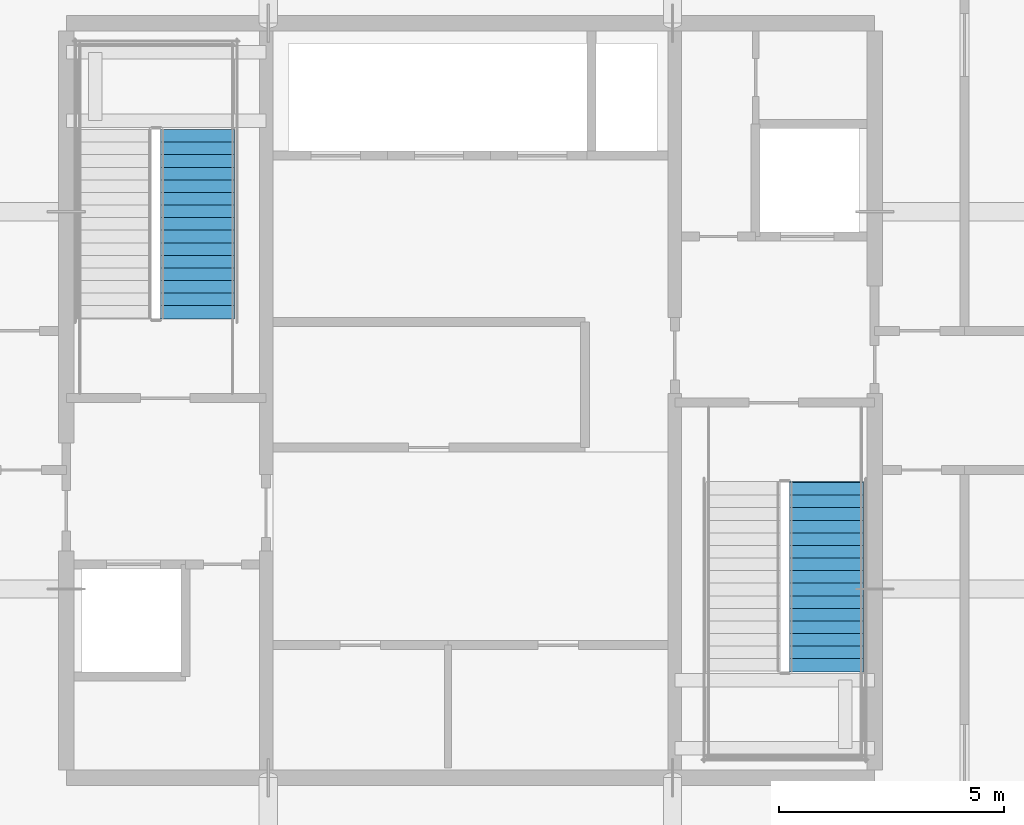
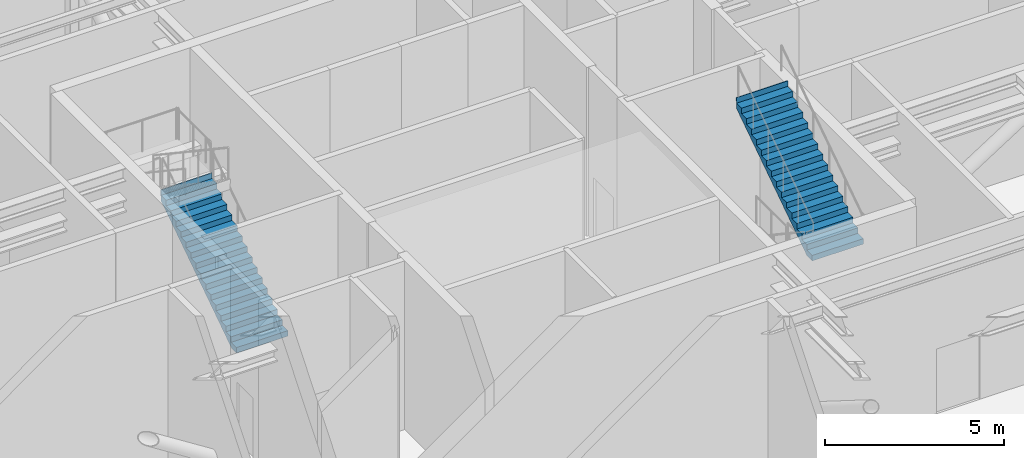
# One storey, part 19 of 22: 2 stair flights, 2 elements without a shape of their own.
"""IFC4 building model written with IfcOpenShell, lengths in metres."""

from ifc_helpers import new_model, si_unit, direction, frame, origin, place, context, subcontext, project, spatial, polygons, material, type_object, element, aggregate, save


model = new_model("IFC4")

# Units and contexts
model_context = context("Model", 3, precision=1e-05, world=origin(), true_north=direction((0.0, 1.0)))
body_context = subcontext(model_context, "Body", "Model", "MODEL_VIEW")
ifc_project = project(units=[si_unit("LENGTHUNIT", "METRE"), si_unit("AREAUNIT", "SQUARE_METRE"), si_unit("VOLUMEUNIT", "CUBIC_METRE"), si_unit("PLANEANGLEUNIT", "RADIAN"), si_unit("MASSUNIT", "GRAM", prefix="KILO")], contexts=[model_context])

# Site, building, storey
site_placement = place(None, origin())
site = spatial("IfcSite", under=ifc_project, at=site_placement, CompositionType="ELEMENT")
building_placement = place(site_placement, origin())
building = spatial("IfcBuilding", under=site, at=building_placement, Name="Serunith Strait Residences", CompositionType="ELEMENT")
storey_placement = place(building_placement, frame((0.0, 0.0, 287.449951171875)))
storey = spatial("IfcBuildingStorey", under=building, at=storey_placement, Name="L72", CompositionType="ELEMENT", Elevation=287.449951171875)

# Stair, stair flight
ifc_material = material(Name="Concrete C50/60", Category="concrete")
stair_type_1 = type_object("IfcStairType", Name="STR-CORE-1", PredefinedType="HALF_TURN_STAIR", material=ifc_material)
stair_1_placement = place(storey_placement, origin())
stair_1 = element("IfcStair", 1, at=stair_1_placement, inside=storey, type_object=stair_type_1, Name="L72 Protected Escape Stair ST-1", PredefinedType="HALF_TURN_STAIR")
stair_flight_type_1 = type_object("IfcStairFlightType", Name="FLT-CORE-1", PredefinedType="STRAIGHT", material=ifc_material)
stair_flight_1_placement = place(storey_placement, frame((26.324951171875, 27.030029296875, 0.0), z_axis=(0.0, 0.0, 1.0), x_axis=(0.0, 1.0, 0.0)))
stair_flight_1 = element("IfcStairFlight", 2, at=stair_flight_1_placement, type_object=stair_flight_type_1, Name="ST-1 flight 1", NumberOfRisers=16, NumberOfTreads=15, PredefinedType="STRAIGHT", RiserHeight=0.1875, TreadLength=0.28, context=body_context, shape_type="Tessellation", body=[
    polygons([(-0.02001953125, -0.824951171875, 0.0), (-0.02001953125, -0.824951171875, 0.1875), (0.280029296875, -0.824951171875, 0.1875), (0.280029296875, -0.824951171875, 0.375), (0.56005859375, -0.824951171875, 0.375), (0.56005859375, -0.824951171875, 0.5625), (0.840087890625, -0.824951171875, 0.5625), (0.840087890625, -0.824951171875, 0.75), (1.1201171875, -0.824951171875, 0.75), (1.1201171875, -0.824951171875, 0.9375), (1.39990234375, -0.824951171875, 0.9375), (1.39990234375, -0.824951171875, 1.125), (1.679931640625, -0.824951171875, 1.125), (1.679931640625, -0.824951171875, 1.3125), (1.9599609375, -0.824951171875, 1.3125), (1.9599609375, -0.824951171875, 1.5), (2.239990234375, -0.824951171875, 1.5), (2.239990234375, -0.824951171875, 1.6875), (2.52001953125, -0.824951171875, 1.6875), (2.52001953125, -0.824951171875, 1.875), (2.800048828125, -0.824951171875, 1.875), (2.800048828125, -0.824951171875, 2.0625), (3.080078125, -0.824951171875, 2.0625), (3.080078125, -0.824951171875, 2.25), (3.360107421875, -0.824951171875, 2.25), (3.360107421875, -0.824951171875, 2.4375), (3.639892578125, -0.824951171875, 2.4375), (3.639892578125, -0.824951171875, 2.625), (3.919921875, -0.824951171875, 2.625), (3.919921875, -0.824951171875, 2.8125), (4.199951171875, -0.824951171875, 2.8125), (4.199951171875, -0.824951171875, 3.0), (4.219970703125, -0.824951171875, 3.0), (4.219970703125, -0.824951171875, 2.93994140625), (4.199951171875, -0.824951171875, 2.632080078125), (0.26953125, -0.824951171875, 0.0), (-0.02001953125, -0.41259765625, 0.0), (-0.02001953125, -0.41259765625, 0.1875), (0.280029296875, -0.41259765625, 0.1875), (0.280029296875, -0.41259765625, 0.375), (0.56005859375, -0.41259765625, 0.375), (0.56005859375, -0.41259765625, 0.5625), (0.840087890625, -0.41259765625, 0.5625), (0.840087890625, -0.41259765625, 0.75), (1.1201171875, -0.41259765625, 0.75), (1.1201171875, -0.41259765625, 0.9375), (1.39990234375, -0.41259765625, 0.9375), (1.39990234375, -0.41259765625, 1.125), (1.679931640625, -0.41259765625, 1.125), (1.679931640625, -0.41259765625, 1.3125), (1.9599609375, -0.41259765625, 1.3125), (1.9599609375, -0.41259765625, 1.5), (2.239990234375, -0.41259765625, 1.5), (2.239990234375, -0.41259765625, 1.6875), (2.52001953125, -0.41259765625, 1.6875), (2.52001953125, -0.41259765625, 1.875), (2.800048828125, -0.41259765625, 1.875), (2.800048828125, -0.41259765625, 2.0625), (3.080078125, -0.41259765625, 2.0625), (3.080078125, -0.41259765625, 2.25), (3.360107421875, -0.41259765625, 2.25), (3.360107421875, -0.41259765625, 2.4375), (3.639892578125, -0.41259765625, 2.4375), (3.639892578125, -0.41259765625, 2.625), (3.919921875, -0.41259765625, 2.625), (3.919921875, -0.41259765625, 2.8125), (4.199951171875, -0.41259765625, 2.8125), (4.199951171875, -0.41259765625, 3.0), (4.219970703125, -0.41259765625, 3.0), (4.219970703125, -0.41259765625, 2.93994140625), (4.199951171875, -0.41259765625, 2.632080078125), (0.26953125, -0.41259765625, 0.0), (-0.02001953125, 0.0, 0.0), (-0.02001953125, 0.0, 0.1875), (0.280029296875, 0.0, 0.1875), (0.280029296875, 0.0, 0.375), (0.56005859375, 0.0, 0.375), (0.56005859375, 0.0, 0.5625), (0.840087890625, 0.0, 0.5625), (0.840087890625, 0.0, 0.75), (1.1201171875, 0.0, 0.75), (1.1201171875, 0.0, 0.9375), (1.39990234375, 0.0, 0.9375), (1.39990234375, 0.0, 1.125), (1.679931640625, 0.0, 1.125), (1.679931640625, 0.0, 1.3125), (1.9599609375, 0.0, 1.3125), (1.9599609375, 0.0, 1.5), (2.239990234375, 0.0, 1.5), (2.239990234375, 0.0, 1.6875), (2.52001953125, 0.0, 1.6875), (2.52001953125, 0.0, 1.875), (2.800048828125, 0.0, 1.875), (2.800048828125, 0.0, 2.0625), (3.080078125, 0.0, 2.0625), (3.080078125, 0.0, 2.25), (3.360107421875, 0.0, 2.25), (3.360107421875, 0.0, 2.4375), (3.639892578125, 0.0, 2.4375), (3.639892578125, 0.0, 2.625), (3.919921875, 0.0, 2.625), (3.919921875, 0.0, 2.8125), (4.199951171875, 0.0, 2.8125), (4.199951171875, 0.0, 3.0), (4.219970703125, 0.0, 3.0), (4.219970703125, 0.0, 2.93994140625), (4.199951171875, 0.0, 2.632080078125), (0.26953125, 0.0, 0.0), (-0.02001953125, 0.41259765625, 0.0), (-0.02001953125, 0.41259765625, 0.1875), (0.280029296875, 0.41259765625, 0.1875), (0.280029296875, 0.41259765625, 0.375), (0.56005859375, 0.41259765625, 0.375), (0.56005859375, 0.41259765625, 0.5625), (0.840087890625, 0.41259765625, 0.5625), (0.840087890625, 0.41259765625, 0.75), (1.1201171875, 0.41259765625, 0.75), (1.1201171875, 0.41259765625, 0.9375), (1.39990234375, 0.41259765625, 0.9375), (1.39990234375, 0.41259765625, 1.125), (1.679931640625, 0.41259765625, 1.125), (1.679931640625, 0.41259765625, 1.3125), (1.9599609375, 0.41259765625, 1.3125), (1.9599609375, 0.41259765625, 1.5), (2.239990234375, 0.41259765625, 1.5), (2.239990234375, 0.41259765625, 1.6875), (2.52001953125, 0.41259765625, 1.6875), (2.52001953125, 0.41259765625, 1.875), (2.800048828125, 0.41259765625, 1.875), (2.800048828125, 0.41259765625, 2.0625), (3.080078125, 0.41259765625, 2.0625), (3.080078125, 0.41259765625, 2.25), (3.360107421875, 0.41259765625, 2.25), (3.360107421875, 0.41259765625, 2.4375), (3.639892578125, 0.41259765625, 2.4375), (3.639892578125, 0.41259765625, 2.625), (3.919921875, 0.41259765625, 2.625), (3.919921875, 0.41259765625, 2.8125), (4.199951171875, 0.41259765625, 2.8125), (4.199951171875, 0.41259765625, 3.0), (4.219970703125, 0.41259765625, 3.0), (4.219970703125, 0.41259765625, 2.93994140625), (4.199951171875, 0.41259765625, 2.632080078125), (0.26953125, 0.41259765625, 0.0), (-0.02001953125, 0.824951171875, 0.0), (-0.02001953125, 0.824951171875, 0.1875), (0.280029296875, 0.824951171875, 0.1875), (0.280029296875, 0.824951171875, 0.375), (0.56005859375, 0.824951171875, 0.375), (0.56005859375, 0.824951171875, 0.5625), (0.840087890625, 0.824951171875, 0.5625), (0.840087890625, 0.824951171875, 0.75), (1.1201171875, 0.824951171875, 0.75), (1.1201171875, 0.824951171875, 0.9375), (1.39990234375, 0.824951171875, 0.9375), (1.39990234375, 0.824951171875, 1.125), (1.679931640625, 0.824951171875, 1.125), (1.679931640625, 0.824951171875, 1.3125), (1.9599609375, 0.824951171875, 1.3125), (1.9599609375, 0.824951171875, 1.5), (2.239990234375, 0.824951171875, 1.5), (2.239990234375, 0.824951171875, 1.6875), (2.52001953125, 0.824951171875, 1.6875), (2.52001953125, 0.824951171875, 1.875), (2.800048828125, 0.824951171875, 1.875), (2.800048828125, 0.824951171875, 2.0625), (3.080078125, 0.824951171875, 2.0625), (3.080078125, 0.824951171875, 2.25), (3.360107421875, 0.824951171875, 2.25), (3.360107421875, 0.824951171875, 2.4375), (3.639892578125, 0.824951171875, 2.4375), (3.639892578125, 0.824951171875, 2.625), (3.919921875, 0.824951171875, 2.625), (3.919921875, 0.824951171875, 2.8125), (4.199951171875, 0.824951171875, 2.8125), (4.199951171875, 0.824951171875, 3.0), (4.219970703125, 0.824951171875, 3.0), (4.219970703125, 0.824951171875, 2.93994140625), (4.199951171875, 0.824951171875, 2.632080078125), (0.26953125, 0.824951171875, 0.0)], [[[1, 2, 38, 37]], [[2, 3, 39, 38]], [[3, 4, 40, 39]], [[4, 5, 41, 40]], [[5, 6, 42, 41]], [[6, 7, 43, 42]], [[7, 8, 44, 43]], [[8, 9, 45, 44]], [[9, 10, 46, 45]], [[10, 11, 47, 46]], [[11, 12, 48, 47]], [[12, 13, 49, 48]], [[13, 14, 50, 49]], [[14, 15, 51, 50]], [[15, 16, 52, 51]], [[16, 17, 53, 52]], [[17, 18, 54, 53]], [[18, 19, 55, 54]], [[19, 20, 56, 55]], [[20, 21, 57, 56]], [[21, 22, 58, 57]], [[22, 23, 59, 58]], [[23, 24, 60, 59]], [[24, 25, 61, 60]], [[25, 26, 62, 61]], [[26, 27, 63, 62]], [[27, 28, 64, 63]], [[28, 29, 65, 64]], [[29, 30, 66, 65]], [[30, 31, 67, 66]], [[31, 32, 68, 67]], [[32, 33, 69, 68]], [[33, 34, 70, 69]], [[34, 35, 71, 70]], [[35, 36, 72, 71]], [[36, 1, 37, 72]], [[37, 38, 74, 73]], [[38, 39, 75, 74]], [[39, 40, 76, 75]], [[40, 41, 77, 76]], [[41, 42, 78, 77]], [[42, 43, 79, 78]], [[43, 44, 80, 79]], [[44, 45, 81, 80]], [[45, 46, 82, 81]], [[46, 47, 83, 82]], [[47, 48, 84, 83]], [[48, 49, 85, 84]], [[49, 50, 86, 85]], [[50, 51, 87, 86]], [[51, 52, 88, 87]], [[52, 53, 89, 88]], [[53, 54, 90, 89]], [[54, 55, 91, 90]], [[55, 56, 92, 91]], [[56, 57, 93, 92]], [[57, 58, 94, 93]], [[58, 59, 95, 94]], [[59, 60, 96, 95]], [[60, 61, 97, 96]], [[61, 62, 98, 97]], [[62, 63, 99, 98]], [[63, 64, 100, 99]], [[64, 65, 101, 100]], [[65, 66, 102, 101]], [[66, 67, 103, 102]], [[67, 68, 104, 103]], [[68, 69, 105, 104]], [[69, 70, 106, 105]], [[70, 71, 107, 106]], [[71, 72, 108, 107]], [[72, 37, 73, 108]], [[73, 74, 110, 109]], [[74, 75, 111, 110]], [[75, 76, 112, 111]], [[76, 77, 113, 112]], [[77, 78, 114, 113]], [[78, 79, 115, 114]], [[79, 80, 116, 115]], [[80, 81, 117, 116]], [[81, 82, 118, 117]], [[82, 83, 119, 118]], [[83, 84, 120, 119]], [[84, 85, 121, 120]], [[85, 86, 122, 121]], [[86, 87, 123, 122]], [[87, 88, 124, 123]], [[88, 89, 125, 124]], [[89, 90, 126, 125]], [[90, 91, 127, 126]], [[91, 92, 128, 127]], [[92, 93, 129, 128]], [[93, 94, 130, 129]], [[94, 95, 131, 130]], [[95, 96, 132, 131]], [[96, 97, 133, 132]], [[97, 98, 134, 133]], [[98, 99, 135, 134]], [[99, 100, 136, 135]], [[100, 101, 137, 136]], [[101, 102, 138, 137]], [[102, 103, 139, 138]], [[103, 104, 140, 139]], [[104, 105, 141, 140]], [[105, 106, 142, 141]], [[106, 107, 143, 142]], [[107, 108, 144, 143]], [[108, 73, 109, 144]], [[109, 110, 146, 145]], [[110, 111, 147, 146]], [[111, 112, 148, 147]], [[112, 113, 149, 148]], [[113, 114, 150, 149]], [[114, 115, 151, 150]], [[115, 116, 152, 151]], [[116, 117, 153, 152]], [[117, 118, 154, 153]], [[118, 119, 155, 154]], [[119, 120, 156, 155]], [[120, 121, 157, 156]], [[121, 122, 158, 157]], [[122, 123, 159, 158]], [[123, 124, 160, 159]], [[124, 125, 161, 160]], [[125, 126, 162, 161]], [[126, 127, 163, 162]], [[127, 128, 164, 163]], [[128, 129, 165, 164]], [[129, 130, 166, 165]], [[130, 131, 167, 166]], [[131, 132, 168, 167]], [[132, 133, 169, 168]], [[133, 134, 170, 169]], [[134, 135, 171, 170]], [[135, 136, 172, 171]], [[136, 137, 173, 172]], [[137, 138, 174, 173]], [[138, 139, 175, 174]], [[139, 140, 176, 175]], [[140, 141, 177, 176]], [[141, 142, 178, 177]], [[142, 143, 179, 178]], [[143, 144, 180, 179]], [[144, 109, 145, 180]], [[36, 35, 34, 33, 32, 31, 30, 29, 28, 27, 26, 25, 24, 23, 22, 21, 20, 19, 18, 17, 16, 15, 14, 13, 12, 11, 10, 9, 8, 7, 6, 5, 4, 3, 2, 1]], [[145, 146, 147, 148, 149, 150, 151, 152, 153, 154, 155, 156, 157, 158, 159, 160, 161, 162, 163, 164, 165, 166, 167, 168, 169, 170, 171, 172, 173, 174, 175, 176, 177, 178, 179, 180]]], closed=True),
])
aggregate(stair_1, [stair_flight_1])

stair_type_2 = type_object("IfcStairType", Name="STR-CORE-2", PredefinedType="HALF_TURN_STAIR", material=ifc_material)
stair_2_placement = place(storey_placement, origin())
stair_2 = element("IfcStair", 3, at=stair_2_placement, inside=storey, type_object=stair_type_2, Name="L72 Protected Escape Stair ST-2", PredefinedType="HALF_TURN_STAIR")
stair_flight_type_2 = type_object("IfcStairFlightType", Name="FLT-CORE-2", PredefinedType="STRAIGHT", material=ifc_material)
stair_flight_2_placement = place(storey_placement, frame((40.324951171875, 19.169921875, 3.0), z_axis=(0.0, 0.0, 1.0), x_axis=(0.0, 1.0, 0.0)))
stair_flight_2 = element("IfcStairFlight", 4, at=stair_flight_2_placement, type_object=stair_flight_type_2, Name="ST-2 flight 2", NumberOfRisers=16, NumberOfTreads=15, PredefinedType="STRAIGHT", RiserHeight=0.1875, TreadLength=0.28, context=body_context, shape_type="Tessellation", body=[
    polygons([(-0.02001953125, -0.824951171875, 0.0), (-0.02001953125, -0.824951171875, 0.1875), (0.280029296875, -0.824951171875, 0.1875), (0.280029296875, -0.824951171875, 0.375), (0.56005859375, -0.824951171875, 0.375), (0.56005859375, -0.824951171875, 0.5625), (0.840087890625, -0.824951171875, 0.5625), (0.840087890625, -0.824951171875, 0.75), (1.1201171875, -0.824951171875, 0.75), (1.1201171875, -0.824951171875, 0.9375), (1.39990234375, -0.824951171875, 0.9375), (1.39990234375, -0.824951171875, 1.125), (1.679931640625, -0.824951171875, 1.125), (1.679931640625, -0.824951171875, 1.3125), (1.9599609375, -0.824951171875, 1.3125), (1.9599609375, -0.824951171875, 1.5), (2.239990234375, -0.824951171875, 1.5), (2.239990234375, -0.824951171875, 1.6875), (2.52001953125, -0.824951171875, 1.6875), (2.52001953125, -0.824951171875, 1.875), (2.800048828125, -0.824951171875, 1.875), (2.800048828125, -0.824951171875, 2.0625), (3.080078125, -0.824951171875, 2.0625), (3.080078125, -0.824951171875, 2.25), (3.360107421875, -0.824951171875, 2.25), (3.360107421875, -0.824951171875, 2.4375), (3.639892578125, -0.824951171875, 2.4375), (3.639892578125, -0.824951171875, 2.625), (3.919921875, -0.824951171875, 2.625), (3.919921875, -0.824951171875, 2.8125), (4.199951171875, -0.824951171875, 2.8125), (4.199951171875, -0.824951171875, 3.0), (4.219970703125, -0.824951171875, 3.0), (4.219970703125, -0.824951171875, 2.93994140625), (4.199951171875, -0.824951171875, 2.632080078125), (0.26953125, -0.824951171875, 0.0), (-0.02001953125, -0.41259765625, 0.0), (-0.02001953125, -0.41259765625, 0.1875), (0.280029296875, -0.41259765625, 0.1875), (0.280029296875, -0.41259765625, 0.375), (0.56005859375, -0.41259765625, 0.375), (0.56005859375, -0.41259765625, 0.5625), (0.840087890625, -0.41259765625, 0.5625), (0.840087890625, -0.41259765625, 0.75), (1.1201171875, -0.41259765625, 0.75), (1.1201171875, -0.41259765625, 0.9375), (1.39990234375, -0.41259765625, 0.9375), (1.39990234375, -0.41259765625, 1.125), (1.679931640625, -0.41259765625, 1.125), (1.679931640625, -0.41259765625, 1.3125), (1.9599609375, -0.41259765625, 1.3125), (1.9599609375, -0.41259765625, 1.5), (2.239990234375, -0.41259765625, 1.5), (2.239990234375, -0.41259765625, 1.6875), (2.52001953125, -0.41259765625, 1.6875), (2.52001953125, -0.41259765625, 1.875), (2.800048828125, -0.41259765625, 1.875), (2.800048828125, -0.41259765625, 2.0625), (3.080078125, -0.41259765625, 2.0625), (3.080078125, -0.41259765625, 2.25), (3.360107421875, -0.41259765625, 2.25), (3.360107421875, -0.41259765625, 2.4375), (3.639892578125, -0.41259765625, 2.4375), (3.639892578125, -0.41259765625, 2.625), (3.919921875, -0.41259765625, 2.625), (3.919921875, -0.41259765625, 2.8125), (4.199951171875, -0.41259765625, 2.8125), (4.199951171875, -0.41259765625, 3.0), (4.219970703125, -0.41259765625, 3.0), (4.219970703125, -0.41259765625, 2.93994140625), (4.199951171875, -0.41259765625, 2.632080078125), (0.26953125, -0.41259765625, 0.0), (-0.02001953125, 0.0, 0.0), (-0.02001953125, 0.0, 0.1875), (0.280029296875, 0.0, 0.1875), (0.280029296875, 0.0, 0.375), (0.56005859375, 0.0, 0.375), (0.56005859375, 0.0, 0.5625), (0.840087890625, 0.0, 0.5625), (0.840087890625, 0.0, 0.75), (1.1201171875, 0.0, 0.75), (1.1201171875, 0.0, 0.9375), (1.39990234375, 0.0, 0.9375), (1.39990234375, 0.0, 1.125), (1.679931640625, 0.0, 1.125), (1.679931640625, 0.0, 1.3125), (1.9599609375, 0.0, 1.3125), (1.9599609375, 0.0, 1.5), (2.239990234375, 0.0, 1.5), (2.239990234375, 0.0, 1.6875), (2.52001953125, 0.0, 1.6875), (2.52001953125, 0.0, 1.875), (2.800048828125, 0.0, 1.875), (2.800048828125, 0.0, 2.0625), (3.080078125, 0.0, 2.0625), (3.080078125, 0.0, 2.25), (3.360107421875, 0.0, 2.25), (3.360107421875, 0.0, 2.4375), (3.639892578125, 0.0, 2.4375), (3.639892578125, 0.0, 2.625), (3.919921875, 0.0, 2.625), (3.919921875, 0.0, 2.8125), (4.199951171875, 0.0, 2.8125), (4.199951171875, 0.0, 3.0), (4.219970703125, 0.0, 3.0), (4.219970703125, 0.0, 2.93994140625), (4.199951171875, 0.0, 2.632080078125), (0.26953125, 0.0, 0.0), (-0.02001953125, 0.41259765625, 0.0), (-0.02001953125, 0.41259765625, 0.1875), (0.280029296875, 0.41259765625, 0.1875), (0.280029296875, 0.41259765625, 0.375), (0.56005859375, 0.41259765625, 0.375), (0.56005859375, 0.41259765625, 0.5625), (0.840087890625, 0.41259765625, 0.5625), (0.840087890625, 0.41259765625, 0.75), (1.1201171875, 0.41259765625, 0.75), (1.1201171875, 0.41259765625, 0.9375), (1.39990234375, 0.41259765625, 0.9375), (1.39990234375, 0.41259765625, 1.125), (1.679931640625, 0.41259765625, 1.125), (1.679931640625, 0.41259765625, 1.3125), (1.9599609375, 0.41259765625, 1.3125), (1.9599609375, 0.41259765625, 1.5), (2.239990234375, 0.41259765625, 1.5), (2.239990234375, 0.41259765625, 1.6875), (2.52001953125, 0.41259765625, 1.6875), (2.52001953125, 0.41259765625, 1.875), (2.800048828125, 0.41259765625, 1.875), (2.800048828125, 0.41259765625, 2.0625), (3.080078125, 0.41259765625, 2.0625), (3.080078125, 0.41259765625, 2.25), (3.360107421875, 0.41259765625, 2.25), (3.360107421875, 0.41259765625, 2.4375), (3.639892578125, 0.41259765625, 2.4375), (3.639892578125, 0.41259765625, 2.625), (3.919921875, 0.41259765625, 2.625), (3.919921875, 0.41259765625, 2.8125), (4.199951171875, 0.41259765625, 2.8125), (4.199951171875, 0.41259765625, 3.0), (4.219970703125, 0.41259765625, 3.0), (4.219970703125, 0.41259765625, 2.93994140625), (4.199951171875, 0.41259765625, 2.632080078125), (0.26953125, 0.41259765625, 0.0), (-0.02001953125, 0.824951171875, 0.0), (-0.02001953125, 0.824951171875, 0.1875), (0.280029296875, 0.824951171875, 0.1875), (0.280029296875, 0.824951171875, 0.375), (0.56005859375, 0.824951171875, 0.375), (0.56005859375, 0.824951171875, 0.5625), (0.840087890625, 0.824951171875, 0.5625), (0.840087890625, 0.824951171875, 0.75), (1.1201171875, 0.824951171875, 0.75), (1.1201171875, 0.824951171875, 0.9375), (1.39990234375, 0.824951171875, 0.9375), (1.39990234375, 0.824951171875, 1.125), (1.679931640625, 0.824951171875, 1.125), (1.679931640625, 0.824951171875, 1.3125), (1.9599609375, 0.824951171875, 1.3125), (1.9599609375, 0.824951171875, 1.5), (2.239990234375, 0.824951171875, 1.5), (2.239990234375, 0.824951171875, 1.6875), (2.52001953125, 0.824951171875, 1.6875), (2.52001953125, 0.824951171875, 1.875), (2.800048828125, 0.824951171875, 1.875), (2.800048828125, 0.824951171875, 2.0625), (3.080078125, 0.824951171875, 2.0625), (3.080078125, 0.824951171875, 2.25), (3.360107421875, 0.824951171875, 2.25), (3.360107421875, 0.824951171875, 2.4375), (3.639892578125, 0.824951171875, 2.4375), (3.639892578125, 0.824951171875, 2.625), (3.919921875, 0.824951171875, 2.625), (3.919921875, 0.824951171875, 2.8125), (4.199951171875, 0.824951171875, 2.8125), (4.199951171875, 0.824951171875, 3.0), (4.219970703125, 0.824951171875, 3.0), (4.219970703125, 0.824951171875, 2.93994140625), (4.199951171875, 0.824951171875, 2.632080078125), (0.26953125, 0.824951171875, 0.0)], [[[1, 2, 38, 37]], [[2, 3, 39, 38]], [[3, 4, 40, 39]], [[4, 5, 41, 40]], [[5, 6, 42, 41]], [[6, 7, 43, 42]], [[7, 8, 44, 43]], [[8, 9, 45, 44]], [[9, 10, 46, 45]], [[10, 11, 47, 46]], [[11, 12, 48, 47]], [[12, 13, 49, 48]], [[13, 14, 50, 49]], [[14, 15, 51, 50]], [[15, 16, 52, 51]], [[16, 17, 53, 52]], [[17, 18, 54, 53]], [[18, 19, 55, 54]], [[19, 20, 56, 55]], [[20, 21, 57, 56]], [[21, 22, 58, 57]], [[22, 23, 59, 58]], [[23, 24, 60, 59]], [[24, 25, 61, 60]], [[25, 26, 62, 61]], [[26, 27, 63, 62]], [[27, 28, 64, 63]], [[28, 29, 65, 64]], [[29, 30, 66, 65]], [[30, 31, 67, 66]], [[31, 32, 68, 67]], [[32, 33, 69, 68]], [[33, 34, 70, 69]], [[34, 35, 71, 70]], [[35, 36, 72, 71]], [[36, 1, 37, 72]], [[37, 38, 74, 73]], [[38, 39, 75, 74]], [[39, 40, 76, 75]], [[40, 41, 77, 76]], [[41, 42, 78, 77]], [[42, 43, 79, 78]], [[43, 44, 80, 79]], [[44, 45, 81, 80]], [[45, 46, 82, 81]], [[46, 47, 83, 82]], [[47, 48, 84, 83]], [[48, 49, 85, 84]], [[49, 50, 86, 85]], [[50, 51, 87, 86]], [[51, 52, 88, 87]], [[52, 53, 89, 88]], [[53, 54, 90, 89]], [[54, 55, 91, 90]], [[55, 56, 92, 91]], [[56, 57, 93, 92]], [[57, 58, 94, 93]], [[58, 59, 95, 94]], [[59, 60, 96, 95]], [[60, 61, 97, 96]], [[61, 62, 98, 97]], [[62, 63, 99, 98]], [[63, 64, 100, 99]], [[64, 65, 101, 100]], [[65, 66, 102, 101]], [[66, 67, 103, 102]], [[67, 68, 104, 103]], [[68, 69, 105, 104]], [[69, 70, 106, 105]], [[70, 71, 107, 106]], [[71, 72, 108, 107]], [[72, 37, 73, 108]], [[73, 74, 110, 109]], [[74, 75, 111, 110]], [[75, 76, 112, 111]], [[76, 77, 113, 112]], [[77, 78, 114, 113]], [[78, 79, 115, 114]], [[79, 80, 116, 115]], [[80, 81, 117, 116]], [[81, 82, 118, 117]], [[82, 83, 119, 118]], [[83, 84, 120, 119]], [[84, 85, 121, 120]], [[85, 86, 122, 121]], [[86, 87, 123, 122]], [[87, 88, 124, 123]], [[88, 89, 125, 124]], [[89, 90, 126, 125]], [[90, 91, 127, 126]], [[91, 92, 128, 127]], [[92, 93, 129, 128]], [[93, 94, 130, 129]], [[94, 95, 131, 130]], [[95, 96, 132, 131]], [[96, 97, 133, 132]], [[97, 98, 134, 133]], [[98, 99, 135, 134]], [[99, 100, 136, 135]], [[100, 101, 137, 136]], [[101, 102, 138, 137]], [[102, 103, 139, 138]], [[103, 104, 140, 139]], [[104, 105, 141, 140]], [[105, 106, 142, 141]], [[106, 107, 143, 142]], [[107, 108, 144, 143]], [[108, 73, 109, 144]], [[109, 110, 146, 145]], [[110, 111, 147, 146]], [[111, 112, 148, 147]], [[112, 113, 149, 148]], [[113, 114, 150, 149]], [[114, 115, 151, 150]], [[115, 116, 152, 151]], [[116, 117, 153, 152]], [[117, 118, 154, 153]], [[118, 119, 155, 154]], [[119, 120, 156, 155]], [[120, 121, 157, 156]], [[121, 122, 158, 157]], [[122, 123, 159, 158]], [[123, 124, 160, 159]], [[124, 125, 161, 160]], [[125, 126, 162, 161]], [[126, 127, 163, 162]], [[127, 128, 164, 163]], [[128, 129, 165, 164]], [[129, 130, 166, 165]], [[130, 131, 167, 166]], [[131, 132, 168, 167]], [[132, 133, 169, 168]], [[133, 134, 170, 169]], [[134, 135, 171, 170]], [[135, 136, 172, 171]], [[136, 137, 173, 172]], [[137, 138, 174, 173]], [[138, 139, 175, 174]], [[139, 140, 176, 175]], [[140, 141, 177, 176]], [[141, 142, 178, 177]], [[142, 143, 179, 178]], [[143, 144, 180, 179]], [[144, 109, 145, 180]], [[36, 35, 34, 33, 32, 31, 30, 29, 28, 27, 26, 25, 24, 23, 22, 21, 20, 19, 18, 17, 16, 15, 14, 13, 12, 11, 10, 9, 8, 7, 6, 5, 4, 3, 2, 1]], [[145, 146, 147, 148, 149, 150, 151, 152, 153, 154, 155, 156, 157, 158, 159, 160, 161, 162, 163, 164, 165, 166, 167, 168, 169, 170, 171, 172, 173, 174, 175, 176, 177, 178, 179, 180]]], closed=True),
])
aggregate(stair_2, [stair_flight_2])

save(model, "model.ifc")
